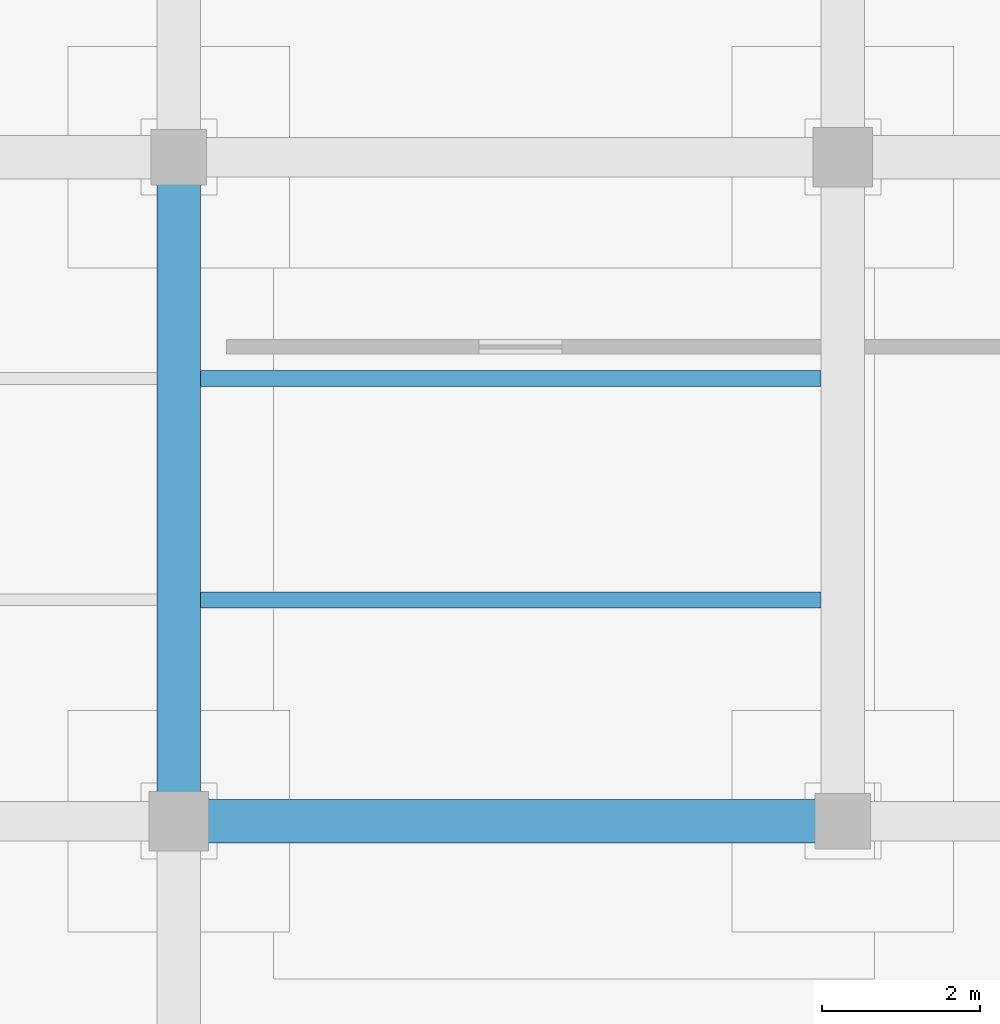
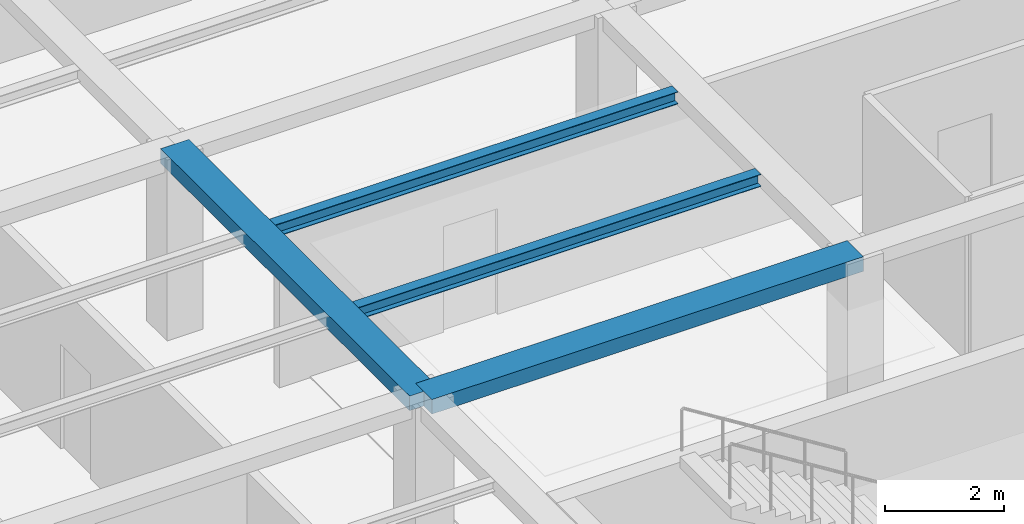
# One storey, part 9 of 31: 4 beams.
"""IFC4 building model written with IfcOpenShell, lengths in metres."""

import ifcopenshell
import ifcopenshell.guid

model = None  # the IFC model being written
_history = None  # IfcOwnerHistory: only IFC2X3 demands one
_inside = {}  # id of a spatial element -> (the spatial element, [elements in it])
_under = {}  # id of a project, library or spatial element -> (it, [spatial elements below it])
_declared = {}  # id of a project -> (the project, [libraries it declares])
_typed = {}  # id of a type object -> (the type object, [elements of that type])
_made_of = {}  # id of a material, layer set ... -> (it, [elements and type objects made of it])


def new_model(schema):
    """Start an empty IFC model of exactly this schema.

    Asked for "IFC4X3", IfcOpenShell would pick the latest addendum, in which some entities
    have other attributes; the version numbers below select the first issue.
    IFC2X3 requires an IfcOwnerHistory on every rooted entity: one is made here for all.
    """
    global model, _history
    if schema == "IFC4X3":
        model = ifcopenshell.file(schema_version=(4, 3, 0, 0))
    else:
        model = ifcopenshell.file(schema=schema)
    _inside.clear()
    _under.clear()
    _declared.clear()
    _typed.clear()
    _made_of.clear()
    _history = None
    if model.schema == "IFC2X3":
        org = make("IfcOrganization", Name="unknown")
        user = make(
            "IfcPersonAndOrganization",
            ThePerson=make("IfcPerson", FamilyName="unknown"),
            TheOrganization=org,
        )
        app = make(
            "IfcApplication",
            ApplicationDeveloper=org,
            Version="unknown",
            ApplicationFullName="unknown",
            ApplicationIdentifier="unknown",
        )
        _history = make(
            "IfcOwnerHistory",
            OwningUser=user,
            OwningApplication=app,
            ChangeAction="ADDED",
            CreationDate=0,
        )
    return model


def make(cls, **values):
    """One entity of the class cls with the attributes given. An attribute that is None is left unset."""
    return model.create_entity(
        cls, **{name: value for name, value in values.items() if value is not None}
    )


def rooted(cls, **values):
    """An entity with a GlobalId (a new one), such as an element, a storey or a relation."""
    return make(cls, GlobalId=ifcopenshell.guid.new(), OwnerHistory=_history, **values)


def si_unit(unit_type, name, prefix=None):
    """IfcSIUnit, for example si_unit("LENGTHUNIT", "METRE", prefix="MILLI")."""
    return make("IfcSIUnit", UnitType=unit_type, Prefix=prefix, Name=name)


def assignment(units):
    """IfcUnitAssignment: the units of a project."""
    return None if units is None else make("IfcUnitAssignment", Units=units)


def point(xyz):
    """IfcCartesianPoint."""
    return None if xyz is None else make("IfcCartesianPoint", Coordinates=xyz)


def direction(xyz):
    """IfcDirection."""
    return None if xyz is None else make("IfcDirection", DirectionRatios=xyz)


def frame(location, z_axis=None, x_axis=None):
    """IfcAxis2Placement3D, a coordinate frame: its origin and axes. An axis left out is left unset."""
    return make(
        "IfcAxis2Placement3D",
        Location=point(location),
        Axis=direction(z_axis),
        RefDirection=direction(x_axis),
    )


def frame_2d(location, x_axis=None):
    """IfcAxis2Placement2D, a coordinate frame in the plane: its origin and x axis."""
    return make(
        "IfcAxis2Placement2D", Location=point(location), RefDirection=direction(x_axis)
    )


def origin():
    """The frame at (0, 0, 0) with its axes left unset."""
    return frame((0.0, 0.0, 0.0))


def origin_2d():
    """The frame at (0, 0) in the plane with its x axis left unset."""
    return frame_2d((0.0, 0.0))


def place(relative_to, where):
    """IfcLocalPlacement: puts the frame where relative to a parent placement (None: the world)."""
    return make(
        "IfcLocalPlacement", PlacementRelTo=relative_to, RelativePlacement=where
    )


def context(
    kind, dimensions, precision=None, world=None, true_north=None, identifier=None
):
    """IfcGeometricRepresentationContext, for example the 3D "Model" context."""
    return make(
        "IfcGeometricRepresentationContext",
        ContextIdentifier=identifier,
        ContextType=kind,
        CoordinateSpaceDimension=dimensions,
        Precision=precision,
        WorldCoordinateSystem=world,
        TrueNorth=true_north,
    )


def subcontext(parent, identifier, kind, view, scale=None):
    """IfcGeometricRepresentationSubContext, for example "Body" below "Model"."""
    return make(
        "IfcGeometricRepresentationSubContext",
        ContextIdentifier=identifier,
        ContextType=kind,
        ParentContext=parent,
        TargetScale=scale,
        TargetView=view,
    )


def project(units=None, contexts=None):
    """IfcProject with its units and contexts."""
    return rooted(
        "IfcProject",
        Name="project",
        RepresentationContexts=contexts,
        UnitsInContext=assignment(units),
    )


def spatial(cls, under=None, at=None, **own):
    """A site, building, storey or space (cls), placed at a placement, below another one or the project."""
    s = rooted(cls, ObjectPlacement=at, **own)
    if under is not None:
        _under.setdefault(under.id(), (under, []))[1].append(s)
    return s


def profile(cls, at=None, kind="AREA", **sizes):
    """A parametric profile (cls). Its sizes go by their IFC names, for example OverallWidth=200.0."""
    return make(cls, ProfileType=kind, Position=at, **sizes)


def rectangle(**sizes):
    """IfcRectangleProfileDef."""
    return profile("IfcRectangleProfileDef", **sizes)


def i_section(**sizes):
    """IfcIShapeProfileDef."""
    return profile("IfcIShapeProfileDef", **sizes)


def extrude(swept, where, along, depth):
    """IfcExtrudedAreaSolid: the profile swept, set in the frame where, extruded along a direction by depth."""
    return make(
        "IfcExtrudedAreaSolid",
        SweptArea=swept,
        Position=where,
        ExtrudedDirection=direction(along),
        Depth=depth,
    )


def shape(context_of_items, identifier, shape_type, items):
    """IfcShapeRepresentation: the items that make up one representation, for example the "Body"."""
    return make(
        "IfcShapeRepresentation",
        ContextOfItems=context_of_items,
        RepresentationIdentifier=identifier,
        RepresentationType=shape_type,
        Items=items,
    )


def material(Name=None, Category=None):
    """IfcMaterial."""
    return make("IfcMaterial", Name=Name, Category=Category)


def material_profile(
    of_material, cross_section, Name=None, Category=None, Priority=None
):
    """IfcMaterialProfile: a cross section and its material."""
    return make(
        "IfcMaterialProfile",
        Name=Name,
        Material=of_material,
        Profile=cross_section,
        Priority=Priority,
        Category=Category,
    )


def profile_set(profiles, Name=None, composite=None):
    """IfcMaterialProfileSet."""
    return make(
        "IfcMaterialProfileSet",
        Name=Name,
        MaterialProfiles=profiles,
        CompositeProfile=composite,
    )


def made_of(thing, what):
    """Note that an element or type object is made of a material, layer set ...; save() writes the relation."""
    if what is not None:
        _made_of.setdefault(what.id(), (what, []))[1].append(thing)
    return thing


def type_object(cls, material=None, **own):
    """A type object (cls), such as IfcWallType, which elements share."""
    return made_of(rooted(cls, **own), material)


def element(
    cls,
    number,
    at=None,
    inside=None,
    cuts=None,
    type_object=None,
    material=None,
    context=None,
    identifier="Body",
    shape_type=None,
    held_by="IfcProductDefinitionShape",
    body=None,
    shapes=None,
    **own,
):
    """One element of the class cls, such as IfcWall. Its Tag is "e" and its number.

    at: its placement. inside: the storey or other place that contains it. cuts: it is an
    opening in that element (IfcRelVoidsElement). A single representation is given by context,
    identifier, shape_type and body (its items); several are given by shapes. held_by: the class
    of the entity that holds the representations. save() writes the other relations.
    """
    e = rooted(cls, Tag="e%d" % number, ObjectPlacement=at, **own)
    if body is not None:
        shapes = [shape(context, identifier, shape_type, body)]
    if shapes is not None:
        e.Representation = make(held_by, Representations=shapes)
    if inside is not None:
        _inside.setdefault(inside.id(), (inside, []))[1].append(e)
    if cuts is not None:
        rooted(
            "IfcRelVoidsElement", RelatingBuildingElement=cuts, RelatedOpeningElement=e
        )
    if type_object is not None:
        _typed.setdefault(type_object.id(), (type_object, []))[1].append(e)
    return made_of(e, material)


def aggregate(whole, parts):
    """IfcRelAggregates: a whole, such as a stair, and the parts it consists of."""
    return rooted("IfcRelAggregates", RelatingObject=whole, RelatedObjects=parts)


def save(model, path):
    """Write the relations noted so far, then the file.

    IfcRelAggregates (storeys below a building ...), IfcRelContainedInSpatialStructure (elements
    in a storey), IfcRelDefinesByType, IfcRelAssociatesMaterial and IfcRelDeclares: one each for
    every whole, place, type object, material and project.
    """
    for whole, parts in _under.values():
        aggregate(whole, parts)
    for where, things in _inside.values():
        rooted(
            "IfcRelContainedInSpatialStructure",
            RelatedElements=things,
            RelatingStructure=where,
        )
    for kind, things in _typed.values():
        rooted("IfcRelDefinesByType", RelatedObjects=things, RelatingType=kind)
    for what, things in _made_of.values():
        rooted("IfcRelAssociatesMaterial", RelatedObjects=things, RelatingMaterial=what)
    for by, libraries in _declared.values():
        rooted("IfcRelDeclares", RelatingContext=by, RelatedDefinitions=libraries)
    model.write(path)


model = new_model("IFC4")

# Units and contexts
model_context = context("Model", 3, precision=1e-05, world=origin(), true_north=direction((0.0, 1.0)))
body_context = subcontext(model_context, "Body", "Model", "MODEL_VIEW")
ifc_project = project(units=[si_unit("LENGTHUNIT", "METRE"), si_unit("AREAUNIT", "SQUARE_METRE"), si_unit("VOLUMEUNIT", "CUBIC_METRE"), si_unit("PLANEANGLEUNIT", "RADIAN"), si_unit("MASSUNIT", "GRAM", prefix="KILO")], contexts=[model_context])

# Site, building, storey
site_placement = place(None, origin())
site = spatial("IfcSite", under=ifc_project, at=site_placement, CompositionType="ELEMENT")
building_placement = place(site_placement, origin())
building = spatial("IfcBuilding", under=site, at=building_placement, Name="Almacenes y Pasaje Nevantli", CompositionType="ELEMENT")
storey_placement = place(building_placement, frame((0.0, 0.0, 34.699951171875)))
storey = spatial("IfcBuildingStorey", under=building, at=storey_placement, Name="L08", CompositionType="ELEMENT", Elevation=34.699951171875)

# Beams
ifc_material_1 = material(Name="Concrete C35/45", Category="concrete")
ifc_material_profile_1 = material_profile(ifc_material_1, rectangle(XDim=0.550048828125, YDim=0.300048828125, at=origin_2d()), Name="RC-BM-550x300")
ifc_profile_set_1 = profile_set([ifc_material_profile_1], Name="Concrete C35/45")
beam_type_1 = type_object("IfcBeamType", Name="BM-RC-550x300", PredefinedType="BEAM", material=ifc_profile_set_1)
for number, where, z_axis, x_axis, name in (
    (1, (117.60009765625, 84.0, 3.570068359375), (1.0, 0.0, 0.0), (0.0, 1.0, 0.0), "L08 East-West Reinforced Concrete Beam #3698"),
    (2, (117.60009765625, 84.0, 3.570068359375), (0.0, 1.0, 0.0), (-1.0, 0.0, 0.0), "L08 North-South Reinforced Concrete Beam #3721"),
):
    element("IfcBeam", number, at=place(storey_placement, frame(where, z_axis=z_axis, x_axis=x_axis)), inside=storey, type_object=beam_type_1, Name=name, PredefinedType="BEAM", context=body_context, shape_type="SweptSolid", body=[
        extrude(rectangle(XDim=0.550048828125, YDim=0.300048828125, at=origin_2d()), origin(), (0.0, 0.0, 1.0), 8.39990234375),
    ])
ifc_material_2 = material(Name="Steel ASTM A992", Category="steel")
ifc_material_profile_2 = material_profile(ifc_material_2, i_section(OverallWidth=0.202880859375, OverallDepth=0.25390625, WebThickness=0.00732421875, FlangeThickness=0.010986328125, at=origin_2d()), Name="IR 254x49.1")
ifc_profile_set_2 = profile_set([ifc_material_profile_2], Name="Steel ASTM A992")
beam_type_2 = type_object("IfcBeamType", Name="BM-STL-IR-254x49p1", PredefinedType="JOIST", material=ifc_profile_set_2)
for number, where, z_axis, x_axis, name in (
    (3, (117.875, 86.800048828125, 3.5849609375), (1.0, 0.0, 0.0), (0.0, 1.0, 0.0), "L08 Secondary Steel Floor Joist #1429"),
    (4, (117.875, 89.60009765625, 3.5849609375), (1.0, 0.0, 0.0), (0.0, 1.0, 0.0), "L08 Secondary Steel Floor Joist #1430"),
):
    element("IfcBeam", number, at=place(storey_placement, frame(where, z_axis=z_axis, x_axis=x_axis)), inside=storey, type_object=beam_type_2, Name=name, PredefinedType="JOIST", context=body_context, shape_type="SweptSolid", body=[
        extrude(i_section(OverallWidth=0.202880859375, OverallDepth=0.25390625, WebThickness=0.00732421875, FlangeThickness=0.010986328125, at=origin_2d()), origin(), (0.0, 0.0, 1.0), 7.85009765625),
    ])

save(model, "model.ifc")
